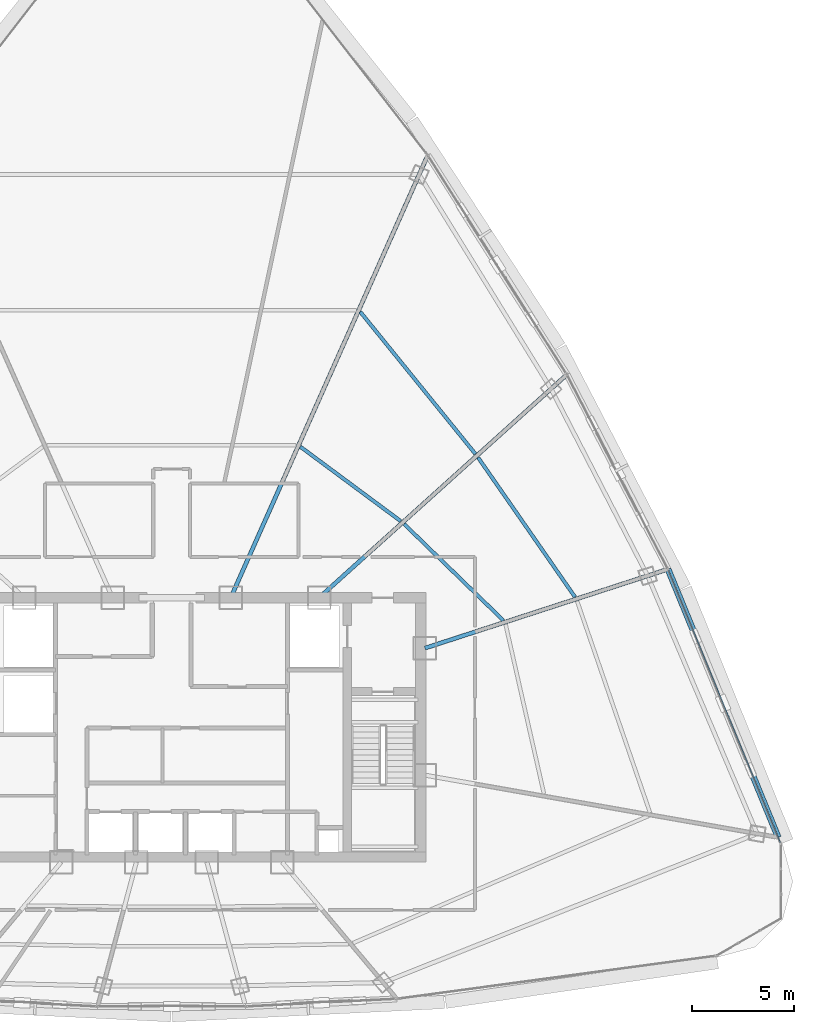
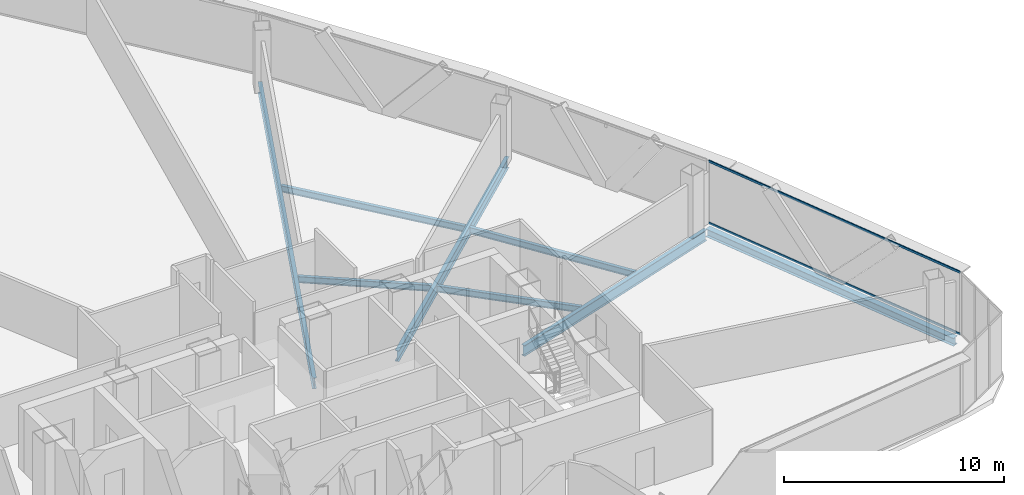
# One storey, part 17 of 33: 8 beams, 2 members, 1 element without a shape of its own.
"""IFC4 building model written with IfcOpenShell, lengths in metres."""

import ifcopenshell
import ifcopenshell.guid

model = None  # the IFC model being written
_history = None  # IfcOwnerHistory: only IFC2X3 demands one
_inside = {}  # id of a spatial element -> (the spatial element, [elements in it])
_under = {}  # id of a project, library or spatial element -> (it, [spatial elements below it])
_declared = {}  # id of a project -> (the project, [libraries it declares])
_typed = {}  # id of a type object -> (the type object, [elements of that type])
_made_of = {}  # id of a material, layer set ... -> (it, [elements and type objects made of it])


def new_model(schema):
    """Start an empty IFC model of exactly this schema.

    Asked for "IFC4X3", IfcOpenShell would pick the latest addendum, in which some entities
    have other attributes; the version numbers below select the first issue.
    IFC2X3 requires an IfcOwnerHistory on every rooted entity: one is made here for all.
    """
    global model, _history
    if schema == "IFC4X3":
        model = ifcopenshell.file(schema_version=(4, 3, 0, 0))
    else:
        model = ifcopenshell.file(schema=schema)
    _inside.clear()
    _under.clear()
    _declared.clear()
    _typed.clear()
    _made_of.clear()
    _history = None
    if model.schema == "IFC2X3":
        org = make("IfcOrganization", Name="unknown")
        user = make(
            "IfcPersonAndOrganization",
            ThePerson=make("IfcPerson", FamilyName="unknown"),
            TheOrganization=org,
        )
        app = make(
            "IfcApplication",
            ApplicationDeveloper=org,
            Version="unknown",
            ApplicationFullName="unknown",
            ApplicationIdentifier="unknown",
        )
        _history = make(
            "IfcOwnerHistory",
            OwningUser=user,
            OwningApplication=app,
            ChangeAction="ADDED",
            CreationDate=0,
        )
    return model


def make(cls, **values):
    """One entity of the class cls with the attributes given. An attribute that is None is left unset."""
    return model.create_entity(
        cls, **{name: value for name, value in values.items() if value is not None}
    )


def rooted(cls, **values):
    """An entity with a GlobalId (a new one), such as an element, a storey or a relation."""
    return make(cls, GlobalId=ifcopenshell.guid.new(), OwnerHistory=_history, **values)


def si_unit(unit_type, name, prefix=None):
    """IfcSIUnit, for example si_unit("LENGTHUNIT", "METRE", prefix="MILLI")."""
    return make("IfcSIUnit", UnitType=unit_type, Prefix=prefix, Name=name)


def assignment(units):
    """IfcUnitAssignment: the units of a project."""
    return None if units is None else make("IfcUnitAssignment", Units=units)


def point(xyz):
    """IfcCartesianPoint."""
    return None if xyz is None else make("IfcCartesianPoint", Coordinates=xyz)


def direction(xyz):
    """IfcDirection."""
    return None if xyz is None else make("IfcDirection", DirectionRatios=xyz)


def frame(location, z_axis=None, x_axis=None):
    """IfcAxis2Placement3D, a coordinate frame: its origin and axes. An axis left out is left unset."""
    return make(
        "IfcAxis2Placement3D",
        Location=point(location),
        Axis=direction(z_axis),
        RefDirection=direction(x_axis),
    )


def frame_2d(location, x_axis=None):
    """IfcAxis2Placement2D, a coordinate frame in the plane: its origin and x axis."""
    return make(
        "IfcAxis2Placement2D", Location=point(location), RefDirection=direction(x_axis)
    )


def origin():
    """The frame at (0, 0, 0) with its axes left unset."""
    return frame((0.0, 0.0, 0.0))


def origin_2d():
    """The frame at (0, 0) in the plane with its x axis left unset."""
    return frame_2d((0.0, 0.0))


def place(relative_to, where):
    """IfcLocalPlacement: puts the frame where relative to a parent placement (None: the world)."""
    return make(
        "IfcLocalPlacement", PlacementRelTo=relative_to, RelativePlacement=where
    )


def context(
    kind, dimensions, precision=None, world=None, true_north=None, identifier=None
):
    """IfcGeometricRepresentationContext, for example the 3D "Model" context."""
    return make(
        "IfcGeometricRepresentationContext",
        ContextIdentifier=identifier,
        ContextType=kind,
        CoordinateSpaceDimension=dimensions,
        Precision=precision,
        WorldCoordinateSystem=world,
        TrueNorth=true_north,
    )


def subcontext(parent, identifier, kind, view, scale=None):
    """IfcGeometricRepresentationSubContext, for example "Body" below "Model"."""
    return make(
        "IfcGeometricRepresentationSubContext",
        ContextIdentifier=identifier,
        ContextType=kind,
        ParentContext=parent,
        TargetScale=scale,
        TargetView=view,
    )


def project(units=None, contexts=None):
    """IfcProject with its units and contexts."""
    return rooted(
        "IfcProject",
        Name="project",
        RepresentationContexts=contexts,
        UnitsInContext=assignment(units),
    )


def spatial(cls, under=None, at=None, **own):
    """A site, building, storey or space (cls), placed at a placement, below another one or the project."""
    s = rooted(cls, ObjectPlacement=at, **own)
    if under is not None:
        _under.setdefault(under.id(), (under, []))[1].append(s)
    return s


def profile(cls, at=None, kind="AREA", **sizes):
    """A parametric profile (cls). Its sizes go by their IFC names, for example OverallWidth=200.0."""
    return make(cls, ProfileType=kind, Position=at, **sizes)


def hollow_rectangle(**sizes):
    """IfcRectangleHollowProfileDef."""
    return profile("IfcRectangleHollowProfileDef", **sizes)


def i_section(**sizes):
    """IfcIShapeProfileDef."""
    return profile("IfcIShapeProfileDef", **sizes)


def extrude(swept, where, along, depth):
    """IfcExtrudedAreaSolid: the profile swept, set in the frame where, extruded along a direction by depth."""
    return make(
        "IfcExtrudedAreaSolid",
        SweptArea=swept,
        Position=where,
        ExtrudedDirection=direction(along),
        Depth=depth,
    )


def shape(context_of_items, identifier, shape_type, items):
    """IfcShapeRepresentation: the items that make up one representation, for example the "Body"."""
    return make(
        "IfcShapeRepresentation",
        ContextOfItems=context_of_items,
        RepresentationIdentifier=identifier,
        RepresentationType=shape_type,
        Items=items,
    )


def source(mapping_origin, context_of_items, identifier, shape_type, items):
    """IfcRepresentationMap: a shape defined once, which mapped items show again and again."""
    return make(
        "IfcRepresentationMap",
        MappingOrigin=mapping_origin,
        MappedRepresentation=shape(context_of_items, identifier, shape_type, items),
    )


def transform(
    local_origin,
    x_axis=None,
    y_axis=None,
    z_axis=None,
    scale=None,
    scale2=None,
    scale3=None,
    uniform=True,
):
    """IfcCartesianTransformationOperator3D, or its non-uniform kind. x_axis, y_axis, z_axis: its Axis1, 2, 3."""
    if uniform:
        return make(
            "IfcCartesianTransformationOperator3D",
            Axis1=direction(x_axis),
            Axis2=direction(y_axis),
            LocalOrigin=point(local_origin),
            Scale=scale,
            Axis3=direction(z_axis),
        )
    return make(
        "IfcCartesianTransformationOperator3DnonUniform",
        Axis1=direction(x_axis),
        Axis2=direction(y_axis),
        LocalOrigin=point(local_origin),
        Scale=scale,
        Axis3=direction(z_axis),
        Scale2=scale2,
        Scale3=scale3,
    )


def mapped(mapping_source, mapping_target):
    """IfcMappedItem: shows the shape of a source again, moved by a transform."""
    return make(
        "IfcMappedItem", MappingSource=mapping_source, MappingTarget=mapping_target
    )


def material(Name=None, Category=None):
    """IfcMaterial."""
    return make("IfcMaterial", Name=Name, Category=Category)


def layer(
    of_material, thickness, ventilated=None, Name=None, Category=None, Priority=None
):
    """IfcMaterialLayer: one layer of a wall or slab, of a material (None: an air gap)."""
    return make(
        "IfcMaterialLayer",
        Material=of_material,
        LayerThickness=thickness,
        IsVentilated=ventilated,
        Name=Name,
        Category=Category,
        Priority=Priority,
    )


def layer_set(layers, Name=None):
    """IfcMaterialLayerSet."""
    return make("IfcMaterialLayerSet", MaterialLayers=layers, LayerSetName=Name)


def material_profile(
    of_material, cross_section, Name=None, Category=None, Priority=None
):
    """IfcMaterialProfile: a cross section and its material."""
    return make(
        "IfcMaterialProfile",
        Name=Name,
        Material=of_material,
        Profile=cross_section,
        Priority=Priority,
        Category=Category,
    )


def profile_set(profiles, Name=None, composite=None):
    """IfcMaterialProfileSet."""
    return make(
        "IfcMaterialProfileSet",
        Name=Name,
        MaterialProfiles=profiles,
        CompositeProfile=composite,
    )


def made_of(thing, what):
    """Note that an element or type object is made of a material, layer set ...; save() writes the relation."""
    if what is not None:
        _made_of.setdefault(what.id(), (what, []))[1].append(thing)
    return thing


def type_object(cls, material=None, **own):
    """A type object (cls), such as IfcWallType, which elements share."""
    return made_of(rooted(cls, **own), material)


def element(
    cls,
    number,
    at=None,
    inside=None,
    cuts=None,
    type_object=None,
    material=None,
    context=None,
    identifier="Body",
    shape_type=None,
    held_by="IfcProductDefinitionShape",
    body=None,
    shapes=None,
    **own,
):
    """One element of the class cls, such as IfcWall. Its Tag is "e" and its number.

    at: its placement. inside: the storey or other place that contains it. cuts: it is an
    opening in that element (IfcRelVoidsElement). A single representation is given by context,
    identifier, shape_type and body (its items); several are given by shapes. held_by: the class
    of the entity that holds the representations. save() writes the other relations.
    """
    e = rooted(cls, Tag="e%d" % number, ObjectPlacement=at, **own)
    if body is not None:
        shapes = [shape(context, identifier, shape_type, body)]
    if shapes is not None:
        e.Representation = make(held_by, Representations=shapes)
    if inside is not None:
        _inside.setdefault(inside.id(), (inside, []))[1].append(e)
    if cuts is not None:
        rooted(
            "IfcRelVoidsElement", RelatingBuildingElement=cuts, RelatedOpeningElement=e
        )
    if type_object is not None:
        _typed.setdefault(type_object.id(), (type_object, []))[1].append(e)
    return made_of(e, material)


def aggregate(whole, parts):
    """IfcRelAggregates: a whole, such as a stair, and the parts it consists of."""
    return rooted("IfcRelAggregates", RelatingObject=whole, RelatedObjects=parts)


def save(model, path):
    """Write the relations noted so far, then the file.

    IfcRelAggregates (storeys below a building ...), IfcRelContainedInSpatialStructure (elements
    in a storey), IfcRelDefinesByType, IfcRelAssociatesMaterial and IfcRelDeclares: one each for
    every whole, place, type object, material and project.
    """
    for whole, parts in _under.values():
        aggregate(whole, parts)
    for where, things in _inside.values():
        rooted(
            "IfcRelContainedInSpatialStructure",
            RelatedElements=things,
            RelatingStructure=where,
        )
    for kind, things in _typed.values():
        rooted("IfcRelDefinesByType", RelatedObjects=things, RelatingType=kind)
    for what, things in _made_of.values():
        rooted("IfcRelAssociatesMaterial", RelatedObjects=things, RelatingMaterial=what)
    for by, libraries in _declared.values():
        rooted("IfcRelDeclares", RelatingContext=by, RelatedDefinitions=libraries)
    model.write(path)


model = new_model("IFC4")

# Units and contexts
model_context = context("Model", 3, precision=1e-05, world=origin(), true_north=direction((0.0, 1.0)))
body_context = subcontext(model_context, "Body", "Model", "MODEL_VIEW")
ifc_project = project(units=[si_unit("LENGTHUNIT", "METRE"), si_unit("AREAUNIT", "SQUARE_METRE"), si_unit("VOLUMEUNIT", "CUBIC_METRE"), si_unit("PLANEANGLEUNIT", "RADIAN"), si_unit("MASSUNIT", "GRAM", prefix="KILO"), si_unit("THERMODYNAMICTEMPERATUREUNIT", "KELVIN"), si_unit("POWERUNIT", "WATT")], contexts=[model_context])

# Site, building, storey
site_placement = place(None, origin())
site = spatial("IfcSite", under=ifc_project, at=site_placement, CompositionType="ELEMENT")
building_placement = place(site_placement, origin())
building = spatial("IfcBuilding", under=site, at=building_placement, Name="Yunzhuo Pagoda Commons", CompositionType="ELEMENT")
storey_placement = place(building_placement, frame((0.0, 0.0, 311.1298828125)))
storey = spatial("IfcBuildingStorey", under=building, at=storey_placement, Name="L78", CompositionType="ELEMENT", Elevation=311.1298828125)

# Beams
ifc_material_1 = material(Name="Structural steel Q355B", Category="steel")
ifc_material_profile_1 = material_profile(ifc_material_1, i_section(OverallWidth=0.175048828125, OverallDepth=0.35009765625, WebThickness=0.007080078125, FlangeThickness=0.010986328125, at=origin_2d()), Name="Structural steel Q355B")
ifc_profile_set_1 = profile_set([ifc_material_profile_1], Name="Structural steel Q355B")
beam_type_1 = type_object("IfcBeamType", Name="B-JS2 Joist HN 350x175x7x11", PredefinedType="JOIST", material=ifc_profile_set_1)
shared_shape_1 = source(origin(), body_context, "Body", "SweptSolid", [
    extrude(i_section(OverallWidth=0.175048828125, OverallDepth=0.35009765625, WebThickness=0.007080078125, FlangeThickness=0.010986328125, at=origin_2d()), origin(), (0.0, 0.0, 1.0), 6.767333984375),
])
beam_1_placement = place(storey_placement, frame((64.242431640625, 39.08447265625, -0.434814453125), z_axis=(-0.717207253673, 0.696859925149, 0.0), x_axis=(-0.696859925149, -0.717207253673, 0.0)))
element("IfcBeam", 1, at=beam_1_placement, inside=storey, type_object=beam_type_1, Name="L78 composite ring joist 1.6", PredefinedType="JOIST", context=body_context, shape_type="MappedRepresentation", body=[
    mapped(shared_shape_1, transform((0.0, 0.0, 0.0), scale=1.0)),
])
shared_shape_2 = source(origin(), body_context, "Body", "SweptSolid", [
    extrude(i_section(OverallWidth=0.175048828125, OverallDepth=0.35009765625, WebThickness=0.007080078125, FlangeThickness=0.010986328125, at=origin_2d()), origin(), (0.0, 0.0, 1.0), 8.31103515625),
])
beam_2_placement = place(storey_placement, frame((67.748046875, 40.232421875, -0.434814453125), z_axis=(-0.570615989364, 0.821217019236, 0.0), x_axis=(-0.821217019236, -0.570615989364, 0.0)))
element("IfcBeam", 2, at=beam_2_placement, inside=storey, type_object=beam_type_1, Name="L78 composite ring joist 2.6", PredefinedType="JOIST", context=body_context, shape_type="MappedRepresentation", body=[
    mapped(shared_shape_2, transform((0.0, 0.0, 0.0), scale=1.0)),
])
shared_shape_3 = source(origin(), body_context, "Body", "SweptSolid", [
    extrude(i_section(OverallWidth=0.175048828125, OverallDepth=0.35009765625, WebThickness=0.007080078125, FlangeThickness=0.010986328125, at=origin_2d()), origin(), (0.0, 0.0, 1.0), 6.109619140625),
])
beam_3_placement = place(storey_placement, frame((59.214111328125, 43.948974609375, -0.434814453125), z_axis=(-0.803396474468, 0.595444459888, 0.0), x_axis=(-0.595444459888, -0.803396474468, 0.0)))
element("IfcBeam", 3, at=beam_3_placement, inside=storey, type_object=beam_type_1, Name="L78 composite ring joist 1.7", PredefinedType="JOIST", context=body_context, shape_type="MappedRepresentation", body=[
    mapped(shared_shape_3, transform((0.0, 0.0, 0.0), scale=1.0)),
])
shared_shape_4 = source(origin(), body_context, "Body", "SweptSolid", [
    extrude(i_section(OverallWidth=0.175048828125, OverallDepth=0.35009765625, WebThickness=0.007080078125, FlangeThickness=0.010986328125, at=origin_2d()), origin(), (0.0, 0.0, 1.0), 8.9462890625),
])
beam_4_placement = place(storey_placement, frame((62.867431640625, 47.2412109375, -0.434814453125), z_axis=(-0.629455685791, 0.777036382434, 0.0), x_axis=(-0.777036382434, -0.629455685791, 0.0)))
element("IfcBeam", 4, at=beam_4_placement, inside=storey, type_object=beam_type_1, Name="L78 composite ring joist 2.7", PredefinedType="JOIST", context=body_context, shape_type="MappedRepresentation", body=[
    mapped(shared_shape_4, transform((0.0, 0.0, 0.0), scale=1.0)),
])
ifc_material_profile_2 = material_profile(ifc_material_1, i_section(OverallWidth=0.199951171875, OverallDepth=0.60009765625, WebThickness=0.010986328125, FlangeThickness=0.01708984375, at=origin_2d()), Name="Structural steel Q355B")
ifc_profile_set_2 = profile_set([ifc_material_profile_2], Name="Structural steel Q355B")
beam_type_2 = type_object("IfcBeamType", Name="B-RG3 Beam HN 600x200x11x17", PredefinedType="BEAM", material=ifc_profile_set_2)
shared_shape_5 = source(origin(), body_context, "Body", "SweptSolid", [
    extrude(i_section(OverallWidth=0.199951171875, OverallDepth=0.60009765625, WebThickness=0.010986328125, FlangeThickness=0.01708984375, at=origin_2d()), origin(), (0.0, 0.0, 1.0), 12.35888671875),
])
beam_5_placement = place(storey_placement, frame((72.15380859375, 41.548095703125, -0.559814453125), z_axis=(-0.951056132281, -0.309018176248, 0.0), x_axis=(0.309018176248, -0.951056132281, 0.0)))
element("IfcBeam", 5, at=beam_5_placement, inside=storey, type_object=beam_type_2, Name="L78 radial floor girder F2C2", PredefinedType="BEAM", context=body_context, shape_type="MappedRepresentation", body=[
    mapped(shared_shape_5, transform((0.0, 0.0, 0.0), scale=1.0)),
])
shared_shape_6 = source(origin(), body_context, "Body", "SweptSolid", [
    extrude(i_section(OverallWidth=0.199951171875, OverallDepth=0.60009765625, WebThickness=0.010986328125, FlangeThickness=0.01708984375, at=origin_2d()), origin(), (0.0, 0.0, 1.0), 16.173583984375),
])
beam_6_placement = place(storey_placement, frame((67.23828125, 51.022216796875, -0.559814453125), z_axis=(-0.743143260476, -0.669132344465, 0.0), x_axis=(0.669132344465, -0.743143260476, 0.0)))
element("IfcBeam", 6, at=beam_6_placement, inside=storey, type_object=beam_type_2, Name="L78 radial floor girder F2C3", PredefinedType="BEAM", context=body_context, shape_type="MappedRepresentation", body=[
    mapped(shared_shape_6, transform((0.0, 0.0, 0.0), scale=1.0)),
])
shared_shape_7 = source(origin(), body_context, "Body", "SweptSolid", [
    extrude(i_section(OverallWidth=0.199951171875, OverallDepth=0.60009765625, WebThickness=0.010986328125, FlangeThickness=0.01708984375, at=origin_2d()), origin(), (0.0, 0.0, 1.0), 23.564208984375),
])
beam_7_placement = place(storey_placement, frame((60.478515625, 61.726806640625, -0.559814453125), z_axis=(-0.406740152773, -0.913543895017, 0.0), x_axis=(0.913543895017, -0.406740152773, 0.0)))
element("IfcBeam", 7, at=beam_7_placement, inside=storey, type_object=beam_type_2, Name="L78 radial floor girder F2C4", PredefinedType="BEAM", context=body_context, shape_type="MappedRepresentation", body=[
    mapped(shared_shape_7, transform((0.0, 0.0, 0.0), scale=1.0)),
])
ifc_material_profile_3 = material_profile(ifc_material_1, i_section(OverallWidth=0.300048828125, OverallDepth=0.43994140625, WebThickness=0.010986328125, FlangeThickness=0.01806640625, at=origin_2d()), Name="Structural steel Q355B")
ifc_profile_set_3 = profile_set([ifc_material_profile_3], Name="Structural steel Q355B")
beam_type_3 = type_object("IfcBeamType", Name="B-SP2 Beam HM 440x300x11x18", PredefinedType="BEAM", material=ifc_profile_set_3)
shared_shape_8 = source(origin(), body_context, "Body", "SweptSolid", [
    extrude(i_section(OverallWidth=0.300048828125, OverallDepth=0.43994140625, WebThickness=0.010986328125, FlangeThickness=0.01806640625, at=origin_2d()), origin(), (0.0, 0.0, 1.0), 14.197021484375),
])
beam_8_placement = place(storey_placement, frame((77.69580078125, 28.4638671875, -0.47998046875), z_axis=(-0.379993738973, 0.924989058498, 0.0), x_axis=(-0.924989058498, -0.379993738973, 0.0)))
element("IfcBeam", 8, at=beam_8_placement, inside=storey, type_object=beam_type_3, Name="L78 facade edge spandrel beam F2.1", PredefinedType="BEAM", context=body_context, shape_type="MappedRepresentation", body=[
    mapped(shared_shape_8, transform((0.0, 0.0, 0.0), scale=1.0)),
])

# Curtain wall, members
ifc_material_2 = material(Name="Anodized aluminium 6063-T6", Category="aluminium")
ifc_layer = layer(ifc_material_2, 0.139892578125)
ifc_layer_set = layer_set([ifc_layer], Name="Anodized aluminium 6063-T6")
curtain_wall_type = type_object("IfcCurtainWallType", Name="CW-HI High-Zone Ribbon Curtain Wall", PredefinedType="NOTDEFINED", material=ifc_layer_set)
curtain_wall_placement = place(storey_placement, origin())
curtain_wall = element("IfcCurtainWall", 9, at=curtain_wall_placement, inside=storey, type_object=curtain_wall_type, Name="L78 curtain wall CW-L78-F2B2", PredefinedType="NOTDEFINED")
ifc_material_profile_4 = material_profile(ifc_material_2, hollow_rectangle(XDim=0.054931640625, YDim=0.1201171875, WallThickness=0.00341796875, at=origin_2d()), Name="Anodized aluminium 6063-T6")
ifc_profile_set_4 = profile_set([ifc_material_profile_4], Name="Anodized aluminium 6063-T6")
member_type = type_object("IfcMemberType", Name="CW-HI-T Transom RHS 120x55x3.5", PredefinedType="USERDEFINED", material=ifc_profile_set_4)
shared_shape_9 = source(origin(), body_context, "Body", "SweptSolid", [
    extrude(hollow_rectangle(XDim=0.054931640625, YDim=0.1201171875, WallThickness=0.00341796875, at=origin_2d()), origin(), (0.0, 0.0, 1.0), 14.41357421875),
])
member_1_placement = place(storey_placement, frame((77.801513671875, 28.2080078125, 0.027587890625), z_axis=(-0.380024704632, 0.924976336924, 0.0), x_axis=(-0.924976336924, -0.380024704632, 0.0)))
member_1 = element("IfcMember", 10, at=member_1_placement, type_object=member_type, Name="CW transom 1.1", ObjectType="TRANSOM", PredefinedType="USERDEFINED", context=body_context, shape_type="MappedRepresentation", body=[
    mapped(shared_shape_9, transform((0.0, 0.0, 0.0), scale=1.0)),
])
member_2_placement = place(storey_placement, frame((77.801513671875, 28.2080078125, 3.442626953125), z_axis=(-0.380024704632, 0.924976336924, 0.0), x_axis=(-0.924976336924, -0.380024704632, 0.0)))
member_2 = element("IfcMember", 11, at=member_2_placement, type_object=member_type, Name="CW transom 1.2", ObjectType="TRANSOM", PredefinedType="USERDEFINED", context=body_context, shape_type="MappedRepresentation", body=[
    mapped(shared_shape_9, transform((0.0, 0.0, 0.0), scale=1.0)),
])
aggregate(curtain_wall, [member_1, member_2])

save(model, "model.ifc")
